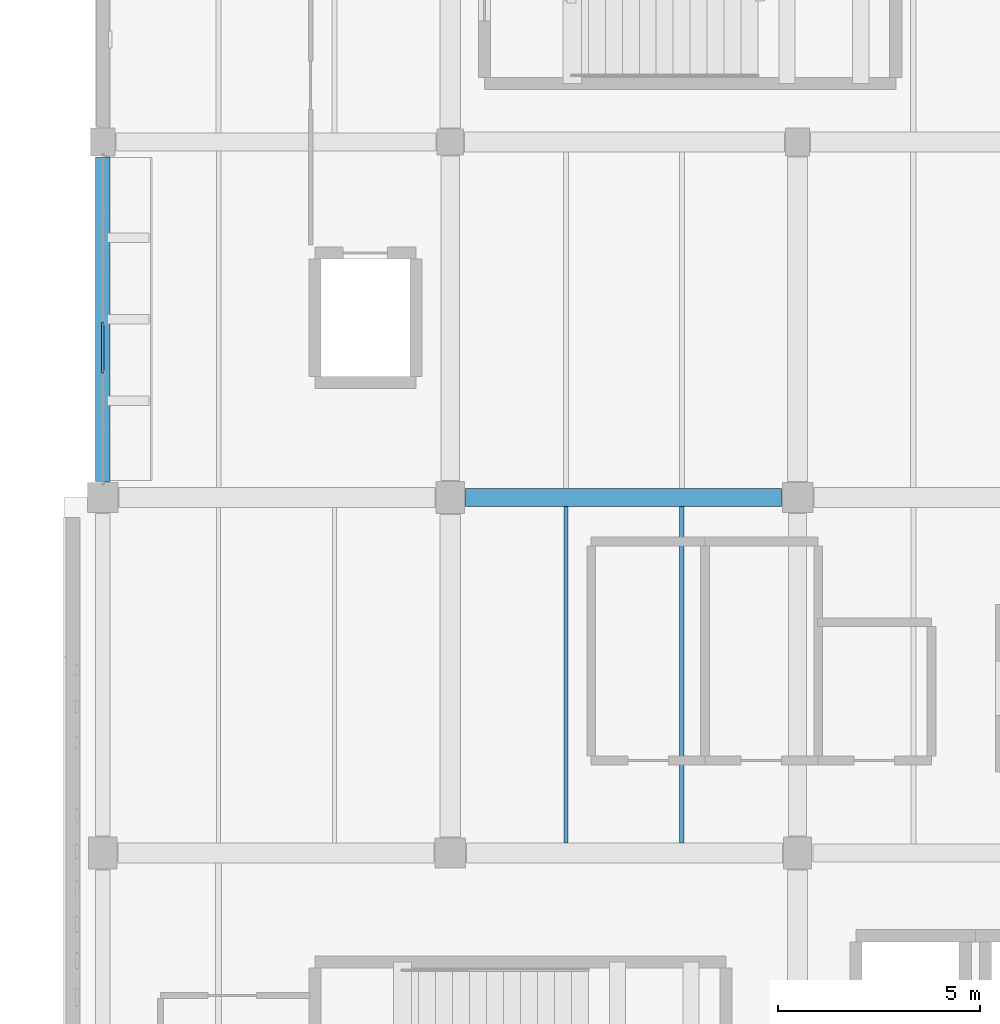
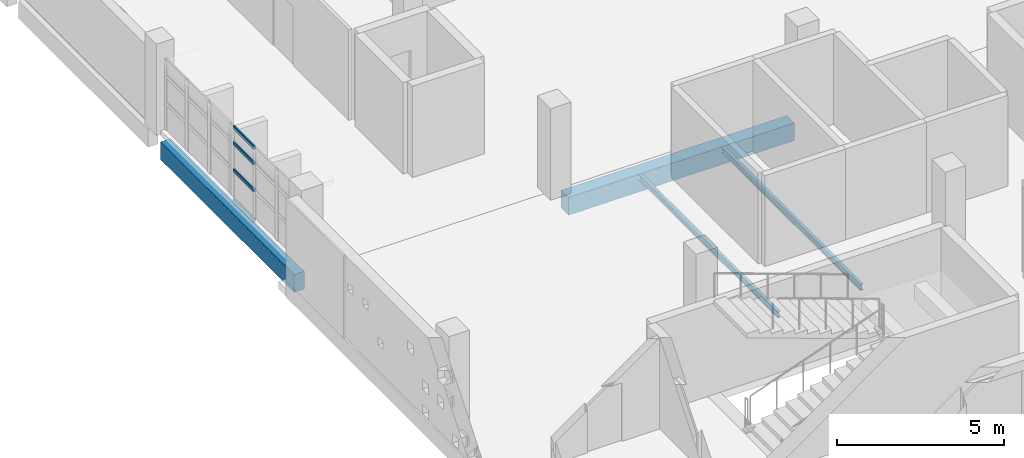
# One storey, part 11 of 93: 4 beams, 4 members, 1 element without a shape of its own.
"""IFC4 building model written with IfcOpenShell, lengths in metres."""

import ifcopenshell
import ifcopenshell.guid

model = None  # the IFC model being written
_history = None  # IfcOwnerHistory: only IFC2X3 demands one
_inside = {}  # id of a spatial element -> (the spatial element, [elements in it])
_under = {}  # id of a project, library or spatial element -> (it, [spatial elements below it])
_declared = {}  # id of a project -> (the project, [libraries it declares])
_typed = {}  # id of a type object -> (the type object, [elements of that type])
_made_of = {}  # id of a material, layer set ... -> (it, [elements and type objects made of it])


def new_model(schema):
    """Start an empty IFC model of exactly this schema.

    Asked for "IFC4X3", IfcOpenShell would pick the latest addendum, in which some entities
    have other attributes; the version numbers below select the first issue.
    IFC2X3 requires an IfcOwnerHistory on every rooted entity: one is made here for all.
    """
    global model, _history
    if schema == "IFC4X3":
        model = ifcopenshell.file(schema_version=(4, 3, 0, 0))
    else:
        model = ifcopenshell.file(schema=schema)
    _inside.clear()
    _under.clear()
    _declared.clear()
    _typed.clear()
    _made_of.clear()
    _history = None
    if model.schema == "IFC2X3":
        org = make("IfcOrganization", Name="unknown")
        user = make(
            "IfcPersonAndOrganization",
            ThePerson=make("IfcPerson", FamilyName="unknown"),
            TheOrganization=org,
        )
        app = make(
            "IfcApplication",
            ApplicationDeveloper=org,
            Version="unknown",
            ApplicationFullName="unknown",
            ApplicationIdentifier="unknown",
        )
        _history = make(
            "IfcOwnerHistory",
            OwningUser=user,
            OwningApplication=app,
            ChangeAction="ADDED",
            CreationDate=0,
        )
    return model


def make(cls, **values):
    """One entity of the class cls with the attributes given. An attribute that is None is left unset."""
    return model.create_entity(
        cls, **{name: value for name, value in values.items() if value is not None}
    )


def rooted(cls, **values):
    """An entity with a GlobalId (a new one), such as an element, a storey or a relation."""
    return make(cls, GlobalId=ifcopenshell.guid.new(), OwnerHistory=_history, **values)


def si_unit(unit_type, name, prefix=None):
    """IfcSIUnit, for example si_unit("LENGTHUNIT", "METRE", prefix="MILLI")."""
    return make("IfcSIUnit", UnitType=unit_type, Prefix=prefix, Name=name)


def assignment(units):
    """IfcUnitAssignment: the units of a project."""
    return None if units is None else make("IfcUnitAssignment", Units=units)


def point(xyz):
    """IfcCartesianPoint."""
    return None if xyz is None else make("IfcCartesianPoint", Coordinates=xyz)


def direction(xyz):
    """IfcDirection."""
    return None if xyz is None else make("IfcDirection", DirectionRatios=xyz)


def frame(location, z_axis=None, x_axis=None):
    """IfcAxis2Placement3D, a coordinate frame: its origin and axes. An axis left out is left unset."""
    return make(
        "IfcAxis2Placement3D",
        Location=point(location),
        Axis=direction(z_axis),
        RefDirection=direction(x_axis),
    )


def frame_2d(location, x_axis=None):
    """IfcAxis2Placement2D, a coordinate frame in the plane: its origin and x axis."""
    return make(
        "IfcAxis2Placement2D", Location=point(location), RefDirection=direction(x_axis)
    )


def origin():
    """The frame at (0, 0, 0) with its axes left unset."""
    return frame((0.0, 0.0, 0.0))


def origin_2d():
    """The frame at (0, 0) in the plane with its x axis left unset."""
    return frame_2d((0.0, 0.0))


def place(relative_to, where):
    """IfcLocalPlacement: puts the frame where relative to a parent placement (None: the world)."""
    return make(
        "IfcLocalPlacement", PlacementRelTo=relative_to, RelativePlacement=where
    )


def context(
    kind, dimensions, precision=None, world=None, true_north=None, identifier=None
):
    """IfcGeometricRepresentationContext, for example the 3D "Model" context."""
    return make(
        "IfcGeometricRepresentationContext",
        ContextIdentifier=identifier,
        ContextType=kind,
        CoordinateSpaceDimension=dimensions,
        Precision=precision,
        WorldCoordinateSystem=world,
        TrueNorth=true_north,
    )


def subcontext(parent, identifier, kind, view, scale=None):
    """IfcGeometricRepresentationSubContext, for example "Body" below "Model"."""
    return make(
        "IfcGeometricRepresentationSubContext",
        ContextIdentifier=identifier,
        ContextType=kind,
        ParentContext=parent,
        TargetScale=scale,
        TargetView=view,
    )


def project(units=None, contexts=None):
    """IfcProject with its units and contexts."""
    return rooted(
        "IfcProject",
        Name="project",
        RepresentationContexts=contexts,
        UnitsInContext=assignment(units),
    )


def spatial(cls, under=None, at=None, **own):
    """A site, building, storey or space (cls), placed at a placement, below another one or the project."""
    s = rooted(cls, ObjectPlacement=at, **own)
    if under is not None:
        _under.setdefault(under.id(), (under, []))[1].append(s)
    return s


def profile(cls, at=None, kind="AREA", **sizes):
    """A parametric profile (cls). Its sizes go by their IFC names, for example OverallWidth=200.0."""
    return make(cls, ProfileType=kind, Position=at, **sizes)


def rectangle(**sizes):
    """IfcRectangleProfileDef."""
    return profile("IfcRectangleProfileDef", **sizes)


def hollow_rectangle(**sizes):
    """IfcRectangleHollowProfileDef."""
    return profile("IfcRectangleHollowProfileDef", **sizes)


def i_section(**sizes):
    """IfcIShapeProfileDef."""
    return profile("IfcIShapeProfileDef", **sizes)


def extrude(swept, where, along, depth):
    """IfcExtrudedAreaSolid: the profile swept, set in the frame where, extruded along a direction by depth."""
    return make(
        "IfcExtrudedAreaSolid",
        SweptArea=swept,
        Position=where,
        ExtrudedDirection=direction(along),
        Depth=depth,
    )


def shape(context_of_items, identifier, shape_type, items):
    """IfcShapeRepresentation: the items that make up one representation, for example the "Body"."""
    return make(
        "IfcShapeRepresentation",
        ContextOfItems=context_of_items,
        RepresentationIdentifier=identifier,
        RepresentationType=shape_type,
        Items=items,
    )


def material(Name=None, Category=None):
    """IfcMaterial."""
    return make("IfcMaterial", Name=Name, Category=Category)


def material_profile(
    of_material, cross_section, Name=None, Category=None, Priority=None
):
    """IfcMaterialProfile: a cross section and its material."""
    return make(
        "IfcMaterialProfile",
        Name=Name,
        Material=of_material,
        Profile=cross_section,
        Priority=Priority,
        Category=Category,
    )


def profile_set(profiles, Name=None, composite=None):
    """IfcMaterialProfileSet."""
    return make(
        "IfcMaterialProfileSet",
        Name=Name,
        MaterialProfiles=profiles,
        CompositeProfile=composite,
    )


def made_of(thing, what):
    """Note that an element or type object is made of a material, layer set ...; save() writes the relation."""
    if what is not None:
        _made_of.setdefault(what.id(), (what, []))[1].append(thing)
    return thing


def type_object(cls, material=None, **own):
    """A type object (cls), such as IfcWallType, which elements share."""
    return made_of(rooted(cls, **own), material)


def element(
    cls,
    number,
    at=None,
    inside=None,
    cuts=None,
    type_object=None,
    material=None,
    context=None,
    identifier="Body",
    shape_type=None,
    held_by="IfcProductDefinitionShape",
    body=None,
    shapes=None,
    **own,
):
    """One element of the class cls, such as IfcWall. Its Tag is "e" and its number.

    at: its placement. inside: the storey or other place that contains it. cuts: it is an
    opening in that element (IfcRelVoidsElement). A single representation is given by context,
    identifier, shape_type and body (its items); several are given by shapes. held_by: the class
    of the entity that holds the representations. save() writes the other relations.
    """
    e = rooted(cls, Tag="e%d" % number, ObjectPlacement=at, **own)
    if body is not None:
        shapes = [shape(context, identifier, shape_type, body)]
    if shapes is not None:
        e.Representation = make(held_by, Representations=shapes)
    if inside is not None:
        _inside.setdefault(inside.id(), (inside, []))[1].append(e)
    if cuts is not None:
        rooted(
            "IfcRelVoidsElement", RelatingBuildingElement=cuts, RelatedOpeningElement=e
        )
    if type_object is not None:
        _typed.setdefault(type_object.id(), (type_object, []))[1].append(e)
    return made_of(e, material)


def aggregate(whole, parts):
    """IfcRelAggregates: a whole, such as a stair, and the parts it consists of."""
    return rooted("IfcRelAggregates", RelatingObject=whole, RelatedObjects=parts)


def save(model, path):
    """Write the relations noted so far, then the file.

    IfcRelAggregates (storeys below a building ...), IfcRelContainedInSpatialStructure (elements
    in a storey), IfcRelDefinesByType, IfcRelAssociatesMaterial and IfcRelDeclares: one each for
    every whole, place, type object, material and project.
    """
    for whole, parts in _under.values():
        aggregate(whole, parts)
    for where, things in _inside.values():
        rooted(
            "IfcRelContainedInSpatialStructure",
            RelatedElements=things,
            RelatingStructure=where,
        )
    for kind, things in _typed.values():
        rooted("IfcRelDefinesByType", RelatedObjects=things, RelatingType=kind)
    for what, things in _made_of.values():
        rooted("IfcRelAssociatesMaterial", RelatedObjects=things, RelatingMaterial=what)
    for by, libraries in _declared.values():
        rooted("IfcRelDeclares", RelatingContext=by, RelatedDefinitions=libraries)
    model.write(path)


model = new_model("IFC4")

# Units and contexts
model_context = context("Model", 3, precision=1e-05, world=origin(), true_north=direction((0.0, 1.0)))
body_context = subcontext(model_context, "Body", "Model", "MODEL_VIEW")
ifc_project = project(units=[si_unit("LENGTHUNIT", "METRE"), si_unit("AREAUNIT", "SQUARE_METRE"), si_unit("VOLUMEUNIT", "CUBIC_METRE"), si_unit("PLANEANGLEUNIT", "RADIAN"), si_unit("MASSUNIT", "GRAM", prefix="KILO")], contexts=[model_context])

# Site, building, storey
site_placement = place(None, origin())
site = spatial("IfcSite", under=ifc_project, at=site_placement, CompositionType="ELEMENT")
building_placement = place(site_placement, origin())
building = spatial("IfcBuilding", under=site, at=building_placement, Name="Varnakota Cinema and Media Centre", CompositionType="ELEMENT")
storey_placement = place(building_placement, frame((0.0, 0.0, 12.0)))
storey = spatial("IfcBuildingStorey", under=building, at=storey_placement, Name="L03", CompositionType="ELEMENT", Elevation=12.0)

# Beams
ifc_material_1 = material(Name="Concrete M35", Category="concrete")
ifc_material_profile_1 = material_profile(ifc_material_1, rectangle(XDim=0.449951171875, YDim=0.64990234375, at=origin_2d()), Name="RCB 450x650")
ifc_profile_set_1 = profile_set([ifc_material_profile_1], Name="Concrete M35")
beam_type_1 = type_object("IfcBeamType", Name="BM-RC-450x650", PredefinedType="BEAM", material=ifc_profile_set_1)
beam_1_placement = place(storey_placement, frame((8.97509765625, 35.199951171875, -0.5849609375), z_axis=(1.0, 0.0, 0.0), x_axis=(0.0, 1.0, 0.0)))
element("IfcBeam", 1, at=beam_1_placement, inside=storey, type_object=beam_type_1, Name="L03 girder B-C/5", PredefinedType="BEAM", context=body_context, shape_type="SweptSolid", body=[
    extrude(rectangle(XDim=0.449951171875, YDim=0.64990234375, at=origin_2d()), origin(), (0.0, 0.0, 1.0), 7.824951171875),
])
ifc_material_2 = material(Name="Concrete M40", Category="concrete")
ifc_material_profile_2 = material_profile(ifc_material_2, rectangle(XDim=0.35009765625, YDim=0.64990234375, at=origin_2d()), Name="RCB 350x650")
ifc_profile_set_2 = profile_set([ifc_material_profile_2], Name="Concrete M40")
beam_type_2 = type_object("IfcBeamType", Name="BM-SP-350x650", PredefinedType="SPANDREL", material=ifc_profile_set_2)
beam_2_placement = place(storey_placement, frame((0.0, 35.60009765625, -0.5849609375), z_axis=(0.0, 1.0, 0.0), x_axis=(-1.0, 0.0, 0.0)))
element("IfcBeam", 2, at=beam_2_placement, inside=storey, type_object=beam_type_2, Name="L03 girder A/5-6", PredefinedType="SPANDREL", context=body_context, shape_type="SweptSolid", body=[
    extrude(rectangle(XDim=0.35009765625, YDim=0.64990234375, at=origin_2d()), origin(), (0.0, 0.0, 1.0), 8.02490234375),
])
ifc_material_3 = material(Name="Structural steel Grade 350 (E350)", Category="steel")
ifc_material_profile_3 = material_profile(ifc_material_3, i_section(OverallWidth=0.110107421875, OverallDepth=0.22509765625, WebThickness=0.006591796875, FlangeThickness=0.01171875, FilletRadius=0.011962890625, at=origin_2d()), Name="ISMB 225")
ifc_profile_set_3 = profile_set([ifc_material_profile_3], Name="Structural steel Grade 350 (E350)")
beam_type_3 = type_object("IfcBeamType", Name="BM-ST-ISMB225", PredefinedType="JOIST", material=ifc_profile_set_3)
for number, where, z_axis, x_axis, name in (
    (3, (11.466796875, 26.64990234375, -0.37255859375), (0.0, 1.0, 0.0), (-1.0, 0.0, 0.0), "L03 steel joist B-C/4-5 #1"),
    (4, (14.333251953125, 26.64990234375, -0.37255859375), (0.0, 1.0, 0.0), (-1.0, 0.0, 0.0), "L03 steel joist B-C/4-5 #2"),
):
    element("IfcBeam", number, at=place(storey_placement, frame(where, z_axis=z_axis, x_axis=x_axis)), inside=storey, type_object=beam_type_3, Name=name, PredefinedType="JOIST", context=body_context, shape_type="SweptSolid", body=[
        extrude(i_section(OverallWidth=0.110107421875, OverallDepth=0.22509765625, WebThickness=0.006591796875, FlangeThickness=0.01171875, FilletRadius=0.011962890625, at=origin_2d()), origin(), (0.0, 0.0, 1.0), 8.3251953125),
    ])

# Curtain wall, members
ifc_material_4 = material(Name="Thermally broken anodised aluminium AW-6063", Category="aluminium")
curtain_wall_type = type_object("IfcCurtainWallType", Name="CW-STD-402x274", PredefinedType="USERDEFINED", material=ifc_material_4)
curtain_wall_placement = place(storey_placement, origin())
curtain_wall = element("IfcCurtainWall", 5, at=curtain_wall_placement, inside=storey, type_object=curtain_wall_type, Name="L03 curtain wall CW-L03-V5-W-05-2", ObjectType="UNITISED CURTAIN WALL", PredefinedType="USERDEFINED")
ifc_material_5 = material(Name="Thermally broken anodised aluminium AW-6063", Category="aluminium")
ifc_material_profile_4 = material_profile(ifc_material_5, hollow_rectangle(XDim=0.06494140625, YDim=0.139892578125, WallThickness=0.00390625, InnerFilletRadius=0.00390625, OuterFilletRadius=0.008056640625, at=origin_2d()), Name="AL-TRANSOM 140x65x4")
ifc_profile_set_4 = profile_set([ifc_material_profile_4], Name="Thermally broken anodised aluminium AW-6063")
member_type = type_object("IfcMemberType", Name="CWT-AL-140", PredefinedType="USERDEFINED", material=ifc_profile_set_4)
member_1_placement = place(storey_placement, frame((0.0, 39.527587890625, 0.032470703125), z_axis=(0.0, -1.0, 0.0), x_axis=(1.0, 0.0, 0.0)))
member_1 = element("IfcMember", 6, at=member_1_placement, type_object=member_type, Name="CW47 transom 1.1", ObjectType="TRANSOM", PredefinedType="USERDEFINED", context=body_context, shape_type="SweptSolid", body=[
    extrude(hollow_rectangle(XDim=0.06494140625, YDim=0.139892578125, WallThickness=0.00390625, InnerFilletRadius=0.00390625, OuterFilletRadius=0.008056640625, at=origin_2d()), origin(), (0.0, 0.0, 1.0), 1.24169921875),
])
member_2_placement = place(storey_placement, frame((0.0, 39.527587890625, 1.148681640625), z_axis=(0.0, -1.0, 0.0), x_axis=(1.0, 0.0, 0.0)))
member_2 = element("IfcMember", 7, at=member_2_placement, type_object=member_type, Name="CW47 transom 1.2", ObjectType="TRANSOM", PredefinedType="USERDEFINED", context=body_context, shape_type="SweptSolid", body=[
    extrude(hollow_rectangle(XDim=0.06494140625, YDim=0.139892578125, WallThickness=0.00390625, InnerFilletRadius=0.00390625, OuterFilletRadius=0.008056640625, at=origin_2d()), origin(), (0.0, 0.0, 1.0), 1.24169921875),
])
member_3_placement = place(storey_placement, frame((0.0, 39.527587890625, 2.13330078125), z_axis=(0.0, -1.0, 0.0), x_axis=(1.0, 0.0, 0.0)))
member_3 = element("IfcMember", 8, at=member_3_placement, type_object=member_type, Name="CW47 transom 1.3", ObjectType="TRANSOM", PredefinedType="USERDEFINED", context=body_context, shape_type="SweptSolid", body=[
    extrude(hollow_rectangle(XDim=0.06494140625, YDim=0.139892578125, WallThickness=0.00390625, InnerFilletRadius=0.00390625, OuterFilletRadius=0.008056640625, at=origin_2d()), origin(), (0.0, 0.0, 1.0), 1.24169921875),
])
member_4_placement = place(storey_placement, frame((0.0, 39.527587890625, 2.702392578125), z_axis=(0.0, -1.0, 0.0), x_axis=(1.0, 0.0, 0.0)))
member_4 = element("IfcMember", 9, at=member_4_placement, type_object=member_type, Name="CW47 transom 1.4", ObjectType="TRANSOM", PredefinedType="USERDEFINED", context=body_context, shape_type="SweptSolid", body=[
    extrude(hollow_rectangle(XDim=0.06494140625, YDim=0.139892578125, WallThickness=0.00390625, InnerFilletRadius=0.00390625, OuterFilletRadius=0.008056640625, at=origin_2d()), origin(), (0.0, 0.0, 1.0), 1.24169921875),
])
aggregate(curtain_wall, [member_1, member_2, member_3, member_4])

save(model, "model.ifc")
